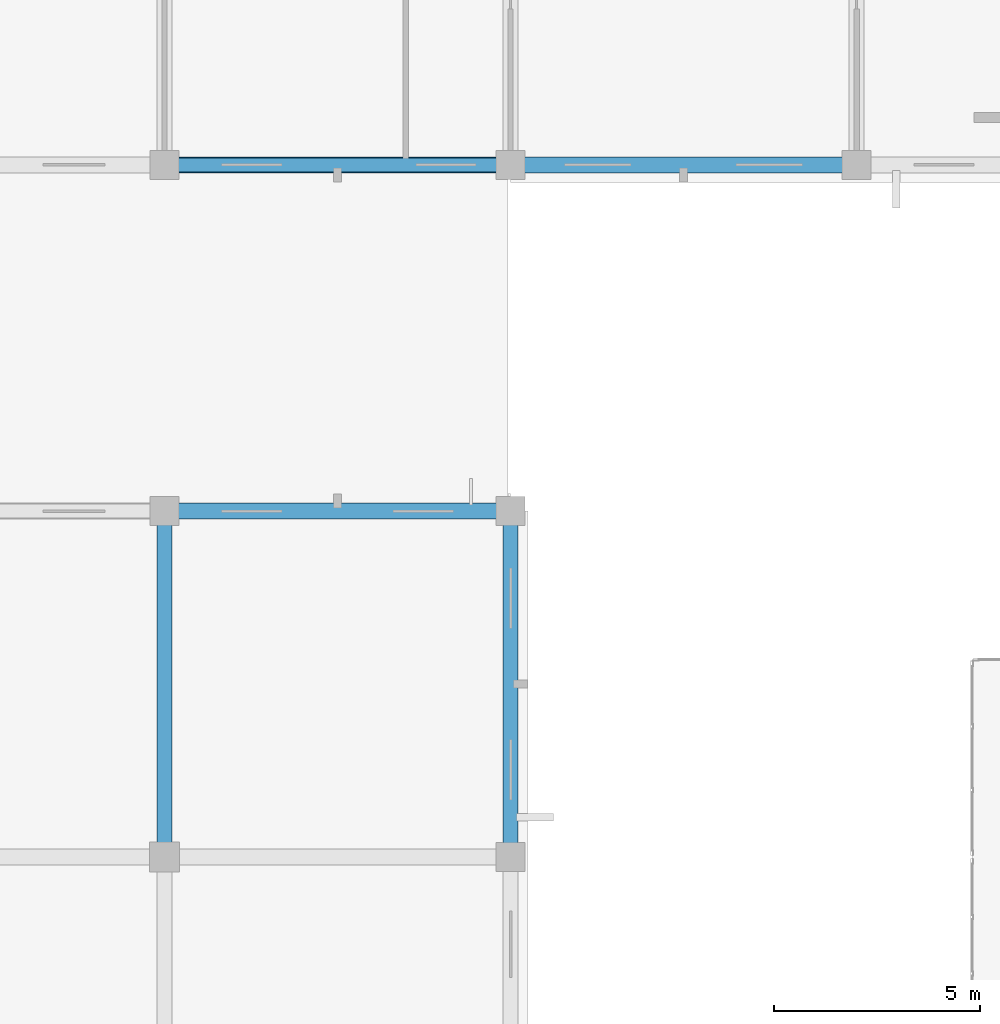
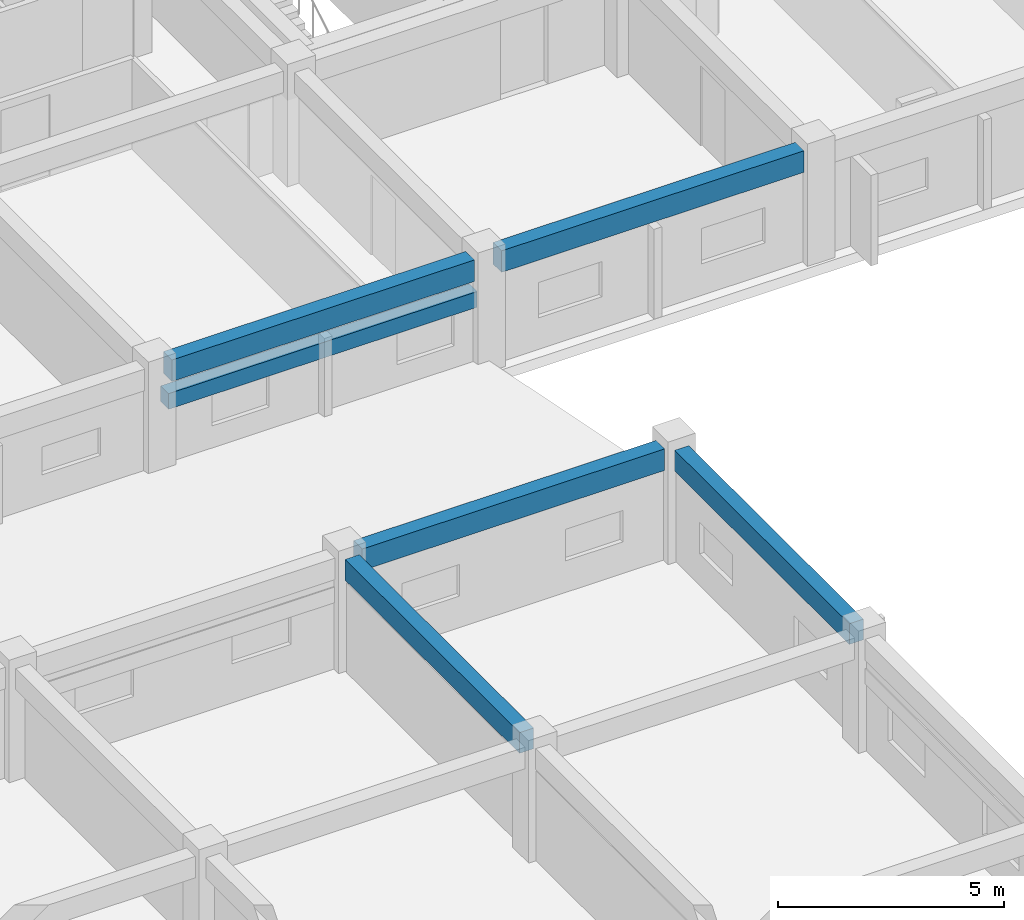
# One storey, part 56 of 148: 6 beams.
"""IFC4 building model written with IfcOpenShell, lengths in metres."""

from ifc_helpers import new_model, si_unit, direction, frame, origin, origin_2d, place, context, subcontext, project, spatial, rectangle, extrude, material, material_profile, profile_set, type_object, element, save


model = new_model("IFC4")

# Units and contexts
model_context = context("Model", 3, precision=1e-05, world=origin(), true_north=direction((0.0, 1.0)))
body_context = subcontext(model_context, "Body", "Model", "MODEL_VIEW")
ifc_project = project(units=[si_unit("LENGTHUNIT", "METRE"), si_unit("AREAUNIT", "SQUARE_METRE"), si_unit("VOLUMEUNIT", "CUBIC_METRE"), si_unit("PLANEANGLEUNIT", "RADIAN"), si_unit("MASSUNIT", "GRAM", prefix="KILO")], contexts=[model_context])

# Site, building, storey
site_placement = place(None, origin())
site = spatial("IfcSite", under=ifc_project, at=site_placement, CompositionType="ELEMENT")
building_placement = place(site_placement, origin())
building = spatial("IfcBuilding", under=site, at=building_placement, Name="Trelvath General Hospital", CompositionType="ELEMENT")
storey_placement = place(building_placement, frame((0.0, 0.0, 12.89990234375)))
storey = spatial("IfcBuildingStorey", under=building, at=storey_placement, Name="L03", CompositionType="ELEMENT", Elevation=12.89990234375)

# Beams
ifc_material_1 = material(Name="Concrete C35/45", Category="concrete")
ifc_material_profile_1 = material_profile(ifc_material_1, rectangle(XDim=0.360107421875, YDim=0.56005859375, at=origin_2d()), Name="RCB360x560")
ifc_profile_set_1 = profile_set([ifc_material_profile_1], Name="Concrete C35/45")
beam_type_1 = type_object("IfcBeamType", Name="Beam RC360x560", PredefinedType="BEAM", material=ifc_profile_set_1)
beam_1_placement = place(storey_placement, frame((33.60009765625, 75.955078125, 2.739990234375), z_axis=(0.0, 1.0, 0.0), x_axis=(-1.0, 0.0, 0.0)))
element("IfcBeam", 1, at=beam_1_placement, inside=storey, type_object=beam_type_1, Name="Grid Beam BY-304J", PredefinedType="BEAM", context=body_context, shape_type="SweptSolid", body=[
    extrude(rectangle(XDim=0.360107421875, YDim=0.56005859375, at=origin_2d()), origin(), (0.0, 0.0, 1.0), 7.699951171875),
])
beam_2_placement = place(storey_placement, frame((42.0, 75.945068359375, 2.739990234375), z_axis=(0.0, 1.0, 0.0), x_axis=(-1.0, 0.0, 0.0)))
element("IfcBeam", 2, at=beam_2_placement, inside=storey, type_object=beam_type_1, Name="Grid Beam BY-305J", PredefinedType="BEAM", context=body_context, shape_type="SweptSolid", body=[
    extrude(rectangle(XDim=0.360107421875, YDim=0.56005859375, at=origin_2d()), origin(), (0.0, 0.0, 1.0), 7.7099609375),
])
ifc_material_2 = material(Name="Concrete C35/45", Category="concrete")
ifc_material_profile_2 = material_profile(ifc_material_2, rectangle(XDim=0.3798828125, YDim=0.580078125, at=origin_2d()), Name="RCB380x580")
ifc_profile_set_2 = profile_set([ifc_material_profile_2], Name="Concrete C35/45")
beam_type_2 = type_object("IfcBeamType", Name="Beam RC380x580", PredefinedType="BEAM", material=ifc_profile_set_2)
for number, where, z_axis, x_axis, name in (
    (3, (33.945068359375, 84.0, 2.72998046875), (1.0, 0.0, 0.0), (0.0, 1.0, 0.0), "Grid Beam BX-304K"),
    (4, (33.945068359375, 92.39990234375, 2.72998046875), (1.0, 0.0, 0.0), (0.0, 1.0, 0.0), "Grid Beam BX-304L"),
    (5, (42.344970703125, 92.39990234375, 2.72998046875), (1.0, 0.0, 0.0), (0.0, 1.0, 0.0), "Grid Beam BX-305L"),
):
    element("IfcBeam", number, at=place(storey_placement, frame(where, z_axis=z_axis, x_axis=x_axis)), inside=storey, type_object=beam_type_2, Name=name, PredefinedType="BEAM", context=body_context, shape_type="SweptSolid", body=[
        extrude(rectangle(XDim=0.3798828125, YDim=0.580078125, at=origin_2d()), origin(), (0.0, 0.0, 1.0), 7.7099609375),
    ])
ifc_material_3 = material(Name="Precast concrete C40/50", Category="concrete")
ifc_material_profile_3 = material_profile(ifc_material_3, rectangle(XDim=0.35009765625, YDim=0.419921875, at=origin_2d()), Name="PCL350x420")
ifc_profile_set_3 = profile_set([ifc_material_profile_3], Name="Precast concrete C40/50")
beam_type_3 = type_object("IfcBeamType", Name="Lintel PC350x420", PredefinedType="LINTEL", material=ifc_profile_set_3)
beam_3_placement = place(storey_placement, frame((41.735107421875, 92.39990234375, 1.920166015625), z_axis=(-1.0, 0.0, 0.0), x_axis=(0.0, -1.0, 0.0)))
element("IfcBeam", 6, at=beam_3_placement, inside=storey, type_object=beam_type_3, Name="Precast Window Brow Lintel L03-364", PredefinedType="LINTEL", context=body_context, shape_type="SweptSolid", body=[
    extrude(rectangle(XDim=0.35009765625, YDim=0.419921875, at=origin_2d()), origin(), (0.0, 0.0, 1.0), 7.8701171875),
])

save(model, "model.ifc")
